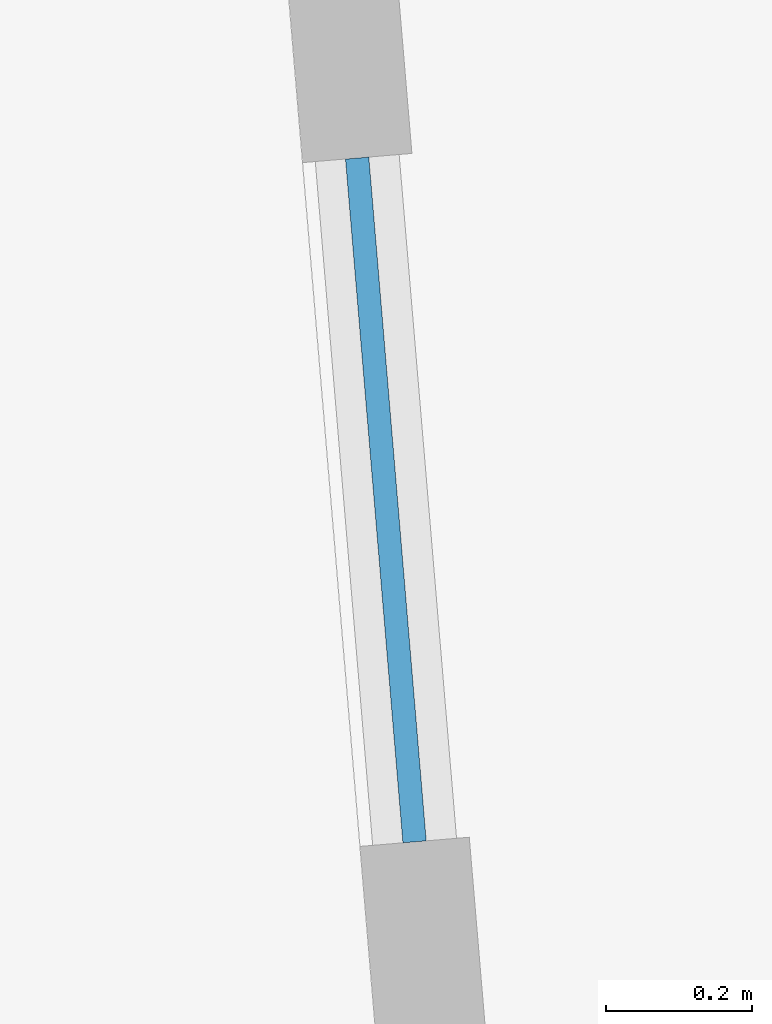
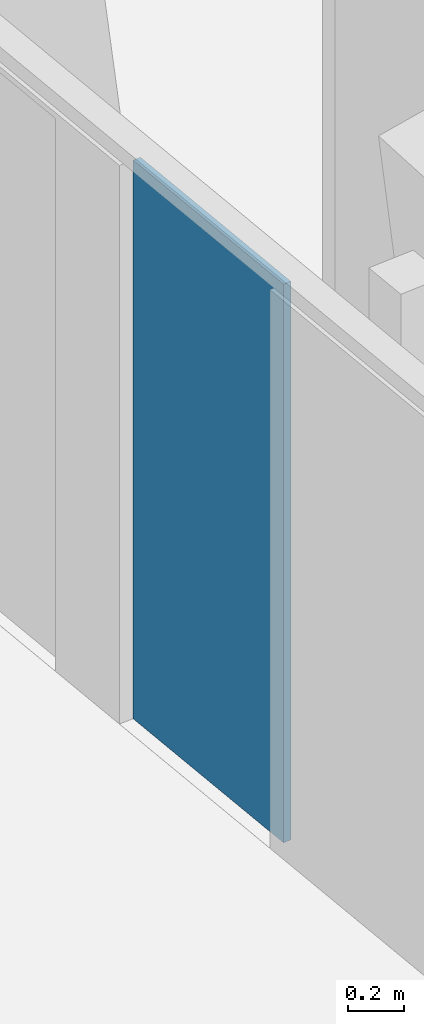
# One storey, part 15 of 26: 1 plate, 1 element without a shape of its own.
"""IFC4 building model written with IfcOpenShell, lengths in metres."""

from ifc_helpers import new_model, si_unit, direction, frame, origin, origin_2d, place, context, subcontext, project, spatial, rectangle, extrude, material, layer, layer_set, type_object, element, aggregate, save


model = new_model("IFC4")

# Units and contexts
model_context = context("Model", 3, precision=1e-05, world=origin(), true_north=direction((0.0, 1.0)))
body_context = subcontext(model_context, "Body", "Model", "MODEL_VIEW")
ifc_project = project(units=[si_unit("LENGTHUNIT", "METRE"), si_unit("AREAUNIT", "SQUARE_METRE"), si_unit("VOLUMEUNIT", "CUBIC_METRE"), si_unit("PLANEANGLEUNIT", "RADIAN"), si_unit("MASSUNIT", "GRAM", prefix="KILO")], contexts=[model_context])

# Site, building, storey
site_placement = place(None, origin())
site = spatial("IfcSite", under=ifc_project, at=site_placement, CompositionType="ELEMENT")
building_placement = place(site_placement, origin())
building = spatial("IfcBuilding", under=site, at=building_placement, Name="Verdalira Terraces Hotel", CompositionType="ELEMENT")
storey_placement = place(building_placement, frame((0.0, 0.0, 53.0)))
storey = spatial("IfcBuildingStorey", under=building, at=storey_placement, Name="L11", CompositionType="ELEMENT", Elevation=53.0)

# Curtain wall, plate
ifc_material_1 = material(Name="Clear glass", Category="glass")
ifc_layer_1 = layer(ifc_material_1, 0.14990234375)
ifc_layer_set_1 = layer_set([ifc_layer_1], Name="CW2 curtain wall")
curtain_wall_type = type_object("IfcCurtainWallType", Name="CW2 curtain wall", PredefinedType="NOTDEFINED", material=ifc_layer_set_1)
curtain_wall_placement = place(storey_placement, origin())
curtain_wall = element("IfcCurtainWall", 1, at=curtain_wall_placement, inside=storey, type_object=curtain_wall_type, Name="CW2 curtain wall L11 edge 10", PredefinedType="NOTDEFINED")
ifc_material_2 = material(Name="Clear glass", Category="glass")
ifc_layer_2 = layer(ifc_material_2, 0.031982421875)
ifc_layer_set_2 = layer_set([ifc_layer_2], Name="CW2 glass unit 32")
plate_type = type_object("IfcPlateType", Name="CW2 glass unit 32", PredefinedType="CURTAIN_PANEL", material=ifc_layer_set_2)
plate_placement = place(storey_placement, frame((-9.435791, 35.584229, 0.0), z_axis=(0.0, 0.0, 1.0), x_axis=(0.083677843, -0.996492859, 0.0)))
plate = element("IfcPlate", 2, at=plate_placement, type_object=plate_type, Name="CW2 glass unit", PredefinedType="CURTAIN_PANEL", context=body_context, shape_type="SweptSolid", body=[
    extrude(rectangle(XDim=0.937744, YDim=0.031982, at=origin_2d()), origin(), (0.0, 0.0, 1.0), 2.425049),
])
aggregate(curtain_wall, [plate])

save(model, "model.ifc")
